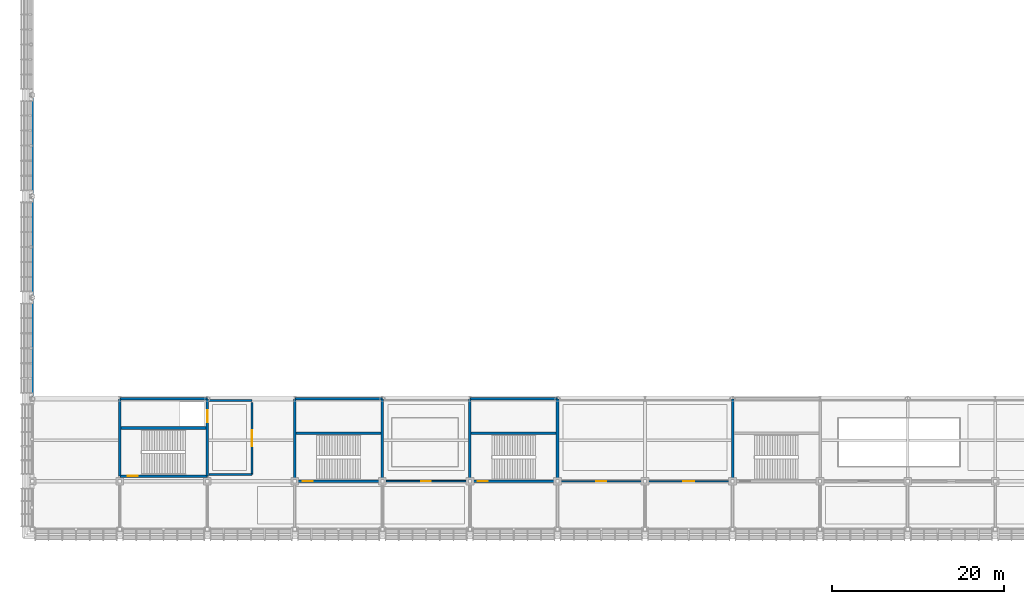
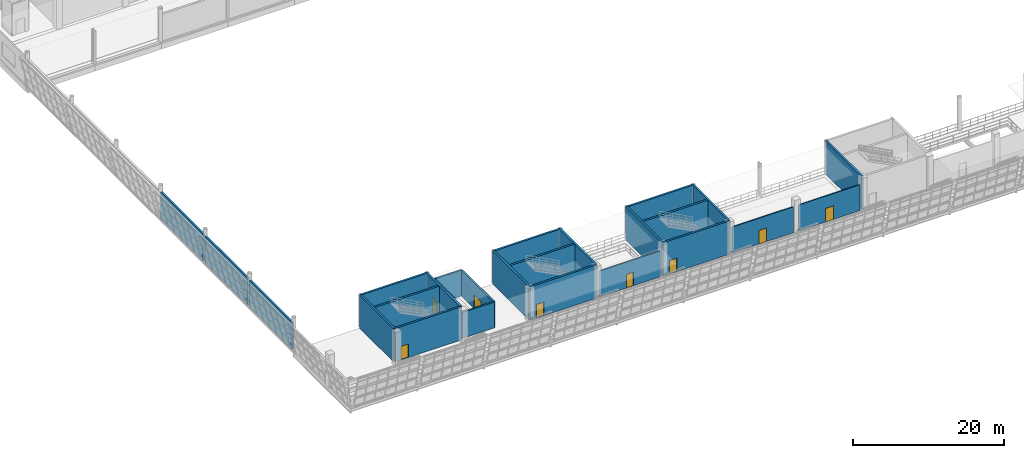
# One storey, part 128 of 175: 25 walls, 8 doors, 8 openings.
"""IFC4 building model written with IfcOpenShell, lengths in metres."""

from ifc_helpers import new_model, si_unit, direction, frame, frame_2d, origin, place, context, subcontext, project, spatial, rectangle, extrude, material, layer, layer_set, type_object, element, fill, save


model = new_model("IFC4")

# Units and contexts
model_context = context("Model", 3, precision=1e-05, world=origin(), true_north=direction((0.0, 1.0)))
body_context = subcontext(model_context, "Body", "Model", "MODEL_VIEW")
ifc_project = project(units=[si_unit("LENGTHUNIT", "METRE"), si_unit("AREAUNIT", "SQUARE_METRE"), si_unit("VOLUMEUNIT", "CUBIC_METRE"), si_unit("PLANEANGLEUNIT", "RADIAN"), si_unit("MASSUNIT", "GRAM", prefix="KILO")], contexts=[model_context])

# Site, building, storey
site_placement = place(None, origin())
site = spatial("IfcSite", under=ifc_project, at=site_placement, CompositionType="ELEMENT")
building_placement = place(site_placement, origin())
building = spatial("IfcBuilding", under=site, at=building_placement, Name="Brelvane Convention Centre", CompositionType="ELEMENT")
storey_placement = place(building_placement, frame((0.0, 0.0, 5.39990234375)))
storey = spatial("IfcBuildingStorey", under=building, at=storey_placement, Name="L01", CompositionType="ELEMENT", Elevation=5.39990234375)

# Walls
ifc_material_1 = material(Name="Concrete M40", Category="concrete")
ifc_layer_1 = layer(ifc_material_1, 0.2900390625)
ifc_layer_set_1 = layer_set([ifc_layer_1], Name="Concrete M40")
wall_type_1 = type_object("IfcWallType", Name="Exterior Wall EW-08", PredefinedType="SOLIDWALL", material=ifc_layer_set_1)
wall_1_placement = place(storey_placement, frame((0.0, 29.0400390625, 0.0), z_axis=(0.0, 0.0, 1.0), x_axis=(0.0, 1.0, 0.0)))
element("IfcWall", 1, at=wall_1_placement, inside=storey, type_object=wall_type_1, Name="Exterior Wall L01 V1W-L01-1", PredefinedType="SOLIDWALL", context=body_context, shape_type="SweptSolid", body=[
    extrude(rectangle(XDim=11.320068359375, YDim=0.2900390625, at=frame_2d((5.66015625, 0.0))), origin(), (0.0, 0.0, 1.0), 4.320068359375),
])
wall_2_placement = place(storey_placement, frame((0.0, 40.840087890625, 0.0), z_axis=(0.0, 0.0, 1.0), x_axis=(0.0, 1.0, 0.0)))
element("IfcWall", 2, at=wall_2_placement, inside=storey, type_object=wall_type_1, Name="Exterior Wall L01 V1W-L01-2", PredefinedType="SOLIDWALL", context=body_context, shape_type="SweptSolid", body=[
    extrude(rectangle(XDim=11.31982421875, YDim=0.2900390625, at=frame_2d((5.659912109375, 0.0))), origin(), (0.0, 0.0, 1.0), 4.320068359375),
])
wall_3_placement = place(storey_placement, frame((0.0, 52.639892578125, 0.0), z_axis=(0.0, 0.0, 1.0), x_axis=(0.0, 1.0, 0.0)))
element("IfcWall", 3, at=wall_3_placement, inside=storey, type_object=wall_type_1, Name="Exterior Wall L01 V1W-L01-3", PredefinedType="SOLIDWALL", context=body_context, shape_type="SweptSolid", body=[
    extrude(rectangle(XDim=11.320068359375, YDim=0.2900390625, at=frame_2d((5.66015625, 0.0))), origin(), (0.0, 0.0, 1.0), 4.320068359375),
])

# Wall, opening, door
ifc_material_2 = material(Name="Fire-Rated Acoustic Gypsum Partition Board Grade A")
ifc_layer_2 = layer(ifc_material_2, 0.14501953125)
ifc_layer_set_2 = layer_set([ifc_layer_2], Name="Fire-Rated Acoustic Gypsum Partition Board Grade A")
wall_type_2 = type_object("IfcWallType", Name="Interior Wall IW-AC-145", PredefinedType="PARTITIONING", material=ifc_layer_set_2)
wall_4_placement = place(storey_placement, frame((71.800048828125, 19.199951171875, 0.0), z_axis=(0.0, 0.0, 1.0), x_axis=(1.0, 0.0, 0.0)))
wall_4 = element("IfcWall", 4, at=wall_4_placement, inside=storey, type_object=wall_type_2, Name="Interior Partition L01-HULLC2", PredefinedType="PARTITIONING", context=body_context, shape_type="SweptSolid", body=[
    extrude(rectangle(XDim=9.39990234375, YDim=0.14501953125, at=frame_2d((4.699951171875, 0.0))), origin(), (0.0, 0.0, 1.0), 4.2001953125),
])
opening_1_placement = place(wall_4_placement, frame((4.080078125, 0.0, 0.0)))
opening_1 = element("IfcOpeningElement", 5, at=opening_1_placement, cuts=wall_4, Name="Opening DR-IN-04R", PredefinedType="OPENING", context=body_context, shape_type="SweptSolid", body=[
    extrude(rectangle(XDim=1.239990234375, YDim=2.199951171875, at=frame_2d((0.6201171875, 1.10009765625))), frame((0.0, 0.08251953125, 0.0), z_axis=(0.0, -1.0, 0.0), x_axis=(1.0, 0.0, 0.0)), (0.0, 0.0, 1.0), 0.1650390625),
])
ifc_material_3 = material(Name="Galvanised Hollow-Metal Fire Door Steel E250", Category="steel")
door_type_1 = type_object("IfcDoorType", Name="Interior Door DR-IN-04R", OperationType="NOTDEFINED", PredefinedType="DOOR", material=ifc_material_3)
door_1_placement = place(opening_1_placement, origin())
door_1 = element("IfcDoor", 6, at=door_1_placement, inside=storey, type_object=door_type_1, Name="Interior Door L01-HULLC2 (DR-IN-04R)", OperationType="SINGLE_SWING_RIGHT", OverallHeight=2.199951171875, OverallWidth=1.239990234375, PredefinedType="DOOR", context=body_context, shape_type="SweptSolid", body=[
    extrude(rectangle(XDim=1.239990234375, YDim=2.199951171875, at=frame_2d((0.6201171875, 1.10009765625))), frame((0.0, 0.02490234375, 0.0), z_axis=(0.0, -1.0, 0.0), x_axis=(1.0, 0.0, 0.0)), (0.0, 0.0, 1.0), 0.050048828125),
])
fill(opening_1, door_1)

ifc_material_4 = material(Name="Fire-Rated Acoustic Gypsum Partition Board Grade A")
ifc_layer_3 = layer(ifc_material_4, 0.155029296875)
ifc_layer_set_3 = layer_set([ifc_layer_3], Name="Fire-Rated Acoustic Gypsum Partition Board Grade A")
wall_type_3 = type_object("IfcWallType", Name="Interior Wall IW-AC-155", PredefinedType="PARTITIONING", material=ifc_layer_set_3)
wall_5_placement = place(storey_placement, frame((61.60009765625, 19.199951171875, 0.0), z_axis=(0.0, 0.0, 1.0), x_axis=(1.0, 0.0, 0.0)))
wall_5 = element("IfcWall", 7, at=wall_5_placement, inside=storey, type_object=wall_type_3, Name="Interior Partition L01-HULLC1", PredefinedType="PARTITIONING", context=body_context, shape_type="SweptSolid", body=[
    extrude(rectangle(XDim=9.39990234375, YDim=0.155029296875, at=frame_2d((4.699951171875, 0.0))), origin(), (0.0, 0.0, 1.0), 4.2001953125),
])
opening_2_placement = place(wall_5_placement, frame((4.1201171875, 0.0, 0.0)))
opening_2 = element("IfcOpeningElement", 8, at=opening_2_placement, cuts=wall_5, Name="Opening DR-IN-04L", PredefinedType="OPENING", context=body_context, shape_type="SweptSolid", body=[
    extrude(rectangle(XDim=1.159912109375, YDim=2.199951171875, at=frame_2d((0.580078125, 1.10009765625))), frame((0.0, 0.08740234375, 0.0), z_axis=(0.0, -1.0, 0.0), x_axis=(1.0, 0.0, 0.0)), (0.0, 0.0, 1.0), 0.175048828125),
])
ifc_material_5 = material(Name="Galvanised Hollow-Metal Fire Door Steel E250", Category="steel")
door_type_2 = type_object("IfcDoorType", Name="Interior Door DR-IN-04L", OperationType="NOTDEFINED", PredefinedType="DOOR", material=ifc_material_5)
door_2_placement = place(opening_2_placement, origin())
door_2 = element("IfcDoor", 9, at=door_2_placement, inside=storey, type_object=door_type_2, Name="Interior Door L01-HULLC1 (DR-IN-04L)", OperationType="SINGLE_SWING_LEFT", OverallHeight=2.199951171875, OverallWidth=1.159912109375, PredefinedType="DOOR", context=body_context, shape_type="SweptSolid", body=[
    extrude(rectangle(XDim=1.159912109375, YDim=2.199951171875, at=frame_2d((0.580078125, 1.10009765625))), frame((0.0, 0.02490234375, 0.0), z_axis=(0.0, -1.0, 0.0), x_axis=(1.0, 0.0, 0.0)), (0.0, 0.0, 1.0), 0.050048828125),
])
fill(opening_2, door_2)

ifc_material_6 = material(Name="Fire-Rated Acoustic Gypsum Partition Board Grade A")
ifc_layer_4 = layer(ifc_material_6, 0.175048828125)
ifc_layer_set_4 = layer_set([ifc_layer_4], Name="Fire-Rated Acoustic Gypsum Partition Board Grade A")
wall_type_4 = type_object("IfcWallType", Name="Interior Wall IW-AC-175", PredefinedType="PARTITIONING", material=ifc_layer_set_4)
wall_6_placement = place(storey_placement, frame((41.199951171875, 19.199951171875, 0.0), z_axis=(0.0, 0.0, 1.0), x_axis=(1.0, 0.0, 0.0)))
wall_6 = element("IfcWall", 10, at=wall_6_placement, inside=storey, type_object=wall_type_4, Name="Interior Partition L01-ORG1", PredefinedType="PARTITIONING", context=body_context, shape_type="SweptSolid", body=[
    extrude(rectangle(XDim=9.400146484375, YDim=0.175048828125, at=frame_2d((4.7001953125, 0.0))), origin(), (0.0, 0.0, 1.0), 4.2001953125),
])
opening_3_placement = place(wall_6_placement, frame((4.14990234375, 0.0, 0.0)))
opening_3 = element("IfcOpeningElement", 11, at=opening_3_placement, cuts=wall_6, Name="Opening DR-IN-02L", PredefinedType="OPENING", context=body_context, shape_type="SweptSolid", body=[
    extrude(rectangle(XDim=1.10009765625, YDim=2.199951171875, at=frame_2d((0.550048828125, 1.10009765625))), frame((0.0, 0.097412109375, 0.0), z_axis=(0.0, -1.0, 0.0), x_axis=(1.0, 0.0, 0.0)), (0.0, 0.0, 1.0), 0.195068359375),
])
ifc_material_7 = material(Name="Solid-Core Fire-Rated Hardwood Leaf Grade 1", Category="wood")
door_type_3 = type_object("IfcDoorType", Name="Interior Door DR-IN-02L", OperationType="NOTDEFINED", PredefinedType="DOOR", material=ifc_material_7)
door_3_placement = place(opening_3_placement, origin())
door_3 = element("IfcDoor", 12, at=door_3_placement, inside=storey, type_object=door_type_3, Name="Interior Door L01-ORG1 (DR-IN-02L)", OperationType="SINGLE_SWING_LEFT", OverallHeight=2.199951171875, OverallWidth=1.10009765625, PredefinedType="DOOR", context=body_context, shape_type="SweptSolid", body=[
    extrude(rectangle(XDim=1.10009765625, YDim=2.199951171875, at=frame_2d((0.550048828125, 1.10009765625))), frame((0.0, 0.02490234375, 0.0), z_axis=(0.0, -1.0, 0.0), x_axis=(1.0, 0.0, 0.0)), (0.0, 0.0, 1.0), 0.050048828125),
])
fill(opening_3, door_3)

ifc_material_8 = material(Name="Concrete M40", Category="concrete")
ifc_layer_5 = layer(ifc_material_8, 0.239990234375)
ifc_layer_set_5 = layer_set([ifc_layer_5], Name="Concrete M40")
wall_type_5 = type_object("IfcWallType", Name="Interior Wall IW-FR-240", PredefinedType="PARTITIONING", material=ifc_layer_set_5)
wall_7_placement = place(storey_placement, frame((25.60009765625, 20.0, 0.0), z_axis=(0.0, 0.0, 1.0), x_axis=(0.0, 1.0, 0.0)))
wall_7 = element("IfcWall", 13, at=wall_7_placement, inside=storey, type_object=wall_type_5, Name="Firefighting Lobby C1 Wall E (L01)", PredefinedType="PARTITIONING", context=body_context, shape_type="SweptSolid", body=[
    extrude(rectangle(XDim=8.39990234375, YDim=0.239990234375, at=frame_2d((4.199951171875, 0.0))), origin(), (0.0, 0.0, 1.0), 4.2001953125),
])
opening_4_placement = place(wall_7_placement, frame((3.25, 0.0, 0.0)))
opening_4 = element("IfcOpeningElement", 14, at=opening_4_placement, cuts=wall_7, Name="Opening DR-FL-01", PredefinedType="OPENING", context=body_context, shape_type="SweptSolid", body=[
    extrude(rectangle(XDim=1.89990234375, YDim=2.25, at=frame_2d((0.949951171875, 1.125))), frame((0.0, 0.1298828125, 0.0), z_axis=(0.0, -1.0, 0.0), x_axis=(1.0, 0.0, 0.0)), (0.0, 0.0, 1.0), 0.260009765625),
])
ifc_material_9 = material(Name="Galvanised Hollow-Metal Fire Door Steel E250", Category="steel")
door_type_4 = type_object("IfcDoorType", Name="Interior Door DR-FL-01", OperationType="NOTDEFINED", PredefinedType="DOOR", material=ifc_material_9)
door_4_placement = place(opening_4_placement, origin())
door_4 = element("IfcDoor", 15, at=door_4_placement, inside=storey, type_object=door_type_4, Name="Firefighting Lobby C1 Smoke Door (L01)", OperationType="DOUBLE_DOOR_SINGLE_SWING", OverallHeight=2.25, OverallWidth=1.89990234375, PredefinedType="DOOR", context=body_context, shape_type="SweptSolid", body=[
    extrude(rectangle(XDim=1.89990234375, YDim=2.25, at=frame_2d((0.949951171875, 1.125))), frame((0.0, 0.02490234375, 0.0), z_axis=(0.0, -1.0, 0.0), x_axis=(1.0, 0.0, 0.0)), (0.0, 0.0, 1.0), 0.050048828125),
])
fill(opening_4, door_4)

# Walls
for number, where, z_axis, x_axis, name in (
    (16, (20.60009765625, 28.60009765625, 0.0), (0.0, 0.0, 1.0), (1.0, 0.0, 0.0), "Firefighting Lobby C1 Wall N (L01)"),
    (17, (20.60009765625, 20.0, 0.0), (0.0, 0.0, 1.0), (1.0, 0.0, 0.0), "Firefighting Lobby C1 Wall S (L01)"),
):
    element("IfcWall", number, at=place(storey_placement, frame(where, z_axis=z_axis, x_axis=x_axis)), inside=storey, type_object=wall_type_5, Name=name, PredefinedType="PARTITIONING", context=body_context, shape_type="SweptSolid", body=[
        extrude(rectangle(XDim=5.0, YDim=0.239990234375, at=frame_2d((2.5, 0.0))), origin(), (0.0, 0.0, 1.0), 4.2001953125),
    ])

# Wall, opening, door
ifc_material_10 = material(Name="Concrete M50", Category="concrete")
ifc_layer_6 = layer(ifc_material_10, 0.300048828125)
ifc_layer_set_6 = layer_set([ifc_layer_6], Name="Concrete M50")
wall_type_6 = type_object("IfcWallType", Name="Structural Wall WL-CORE-300", PredefinedType="SHEAR", material=ifc_layer_set_6)
wall_8_placement = place(storey_placement, frame((10.199951171875, 19.800048828125, 0.0), z_axis=(0.0, 0.0, 1.0), x_axis=(1.0, 0.0, 0.0)))
wall_8 = element("IfcWall", 18, at=wall_8_placement, inside=storey, type_object=wall_type_6, Name="Core C1 Shear Wall S (L01)", PredefinedType="SHEAR", context=body_context, shape_type="SweptSolid", body=[
    extrude(rectangle(XDim=10.199951171875, YDim=0.300048828125, at=frame_2d((5.10009765625, 0.0))), origin(), (0.0, 0.0, 1.0), 5.400146484375),
])
opening_5_placement = place(wall_8_placement, frame((0.919921875, 0.0, 0.0)))
opening_5 = element("IfcOpeningElement", 19, at=opening_5_placement, cuts=wall_8, Name="Opening DR-IN-04L", PredefinedType="OPENING", context=body_context, shape_type="SweptSolid", body=[
    extrude(rectangle(XDim=1.159912109375, YDim=2.199951171875, at=frame_2d((0.580078125, 1.10009765625))), frame((0.0, 0.159912109375, 0.0), z_axis=(0.0, -1.0, 0.0), x_axis=(1.0, 0.0, 0.0)), (0.0, 0.0, 1.0), 0.320068359375),
])
door_5_placement = place(opening_5_placement, origin())
door_5 = element("IfcDoor", 20, at=door_5_placement, inside=storey, type_object=door_type_2, Name="Stair ST-01 Exit Door (L01)", OperationType="SINGLE_SWING_LEFT", OverallHeight=2.199951171875, OverallWidth=1.159912109375, PredefinedType="DOOR", context=body_context, shape_type="SweptSolid", body=[
    extrude(rectangle(XDim=1.159912109375, YDim=2.199951171875, at=frame_2d((0.580078125, 1.10009765625))), frame((0.0, 0.02490234375, 0.0), z_axis=(0.0, -1.0, 0.0), x_axis=(1.0, 0.0, 0.0)), (0.0, 0.0, 1.0), 0.050048828125),
])
fill(opening_5, door_5)

# Walls
wall_9_placement = place(storey_placement, frame((10.199951171875, 28.800048828125, 0.0), z_axis=(0.0, 0.0, 1.0), x_axis=(1.0, 0.0, 0.0)))
element("IfcWall", 21, at=wall_9_placement, inside=storey, type_object=wall_type_6, Name="Core C1 Shear Wall N (L01)", PredefinedType="SHEAR", context=body_context, shape_type="SweptSolid", body=[
    extrude(rectangle(XDim=10.199951171875, YDim=0.300048828125, at=frame_2d((5.10009765625, 0.0))), origin(), (0.0, 0.0, 1.0), 5.400146484375),
])
wall_10_placement = place(storey_placement, frame((10.199951171875, 19.800048828125, 0.0), z_axis=(0.0, 0.0, 1.0), x_axis=(0.0, 1.0, 0.0)))
element("IfcWall", 22, at=wall_10_placement, inside=storey, type_object=wall_type_6, Name="Core C1 Shear Wall W (L01)", PredefinedType="SHEAR", context=body_context, shape_type="SweptSolid", body=[
    extrude(rectangle(XDim=9.0, YDim=0.300048828125, at=frame_2d((4.5, 0.0))), origin(), (0.0, 0.0, 1.0), 5.400146484375),
])

# Wall, opening, door
wall_11_placement = place(storey_placement, frame((20.39990234375, 19.800048828125, 0.0), z_axis=(0.0, 0.0, 1.0), x_axis=(0.0, 1.0, 0.0)))
wall_11 = element("IfcWall", 23, at=wall_11_placement, inside=storey, type_object=wall_type_6, Name="Core C1 Shear Wall E (L01)", PredefinedType="SHEAR", context=body_context, shape_type="SweptSolid", body=[
    extrude(rectangle(XDim=9.0, YDim=0.300048828125, at=frame_2d((4.5, 0.0))), origin(), (0.0, 0.0, 1.0), 5.400146484375),
])
opening_6_placement = place(wall_11_placement, frame((6.300048828125, 0.0, 0.0)))
opening_6 = element("IfcOpeningElement", 24, at=opening_6_placement, cuts=wall_11, Name="Opening LD-03", PredefinedType="OPENING", context=body_context, shape_type="SweptSolid", body=[
    extrude(rectangle(XDim=1.35009765625, YDim=2.300048828125, at=frame_2d((0.675048828125, 1.14990234375))), frame((0.0, 0.159912109375, 0.0), z_axis=(0.0, -1.0, 0.0), x_axis=(1.0, 0.0, 0.0)), (0.0, 0.0, 1.0), 0.320068359375),
])
ifc_material_11 = material(Name="Galvanised Hollow-Metal Fire Door Steel E250", Category="steel")
door_type_5 = type_object("IfcDoorType", Name="Interior Door LD-03", OperationType="NOTDEFINED", PredefinedType="DOOR", material=ifc_material_11)
door_6_placement = place(opening_6_placement, origin())
door_6 = element("IfcDoor", 25, at=door_6_placement, inside=storey, type_object=door_type_5, Name="Lift LF-01 Landing Door (L01)", OperationType="DOUBLE_DOOR_SLIDING", OverallHeight=2.300048828125, OverallWidth=1.35009765625, PredefinedType="DOOR", context=body_context, shape_type="SweptSolid", body=[
    extrude(rectangle(XDim=1.35009765625, YDim=2.300048828125, at=frame_2d((0.675048828125, 1.14990234375))), frame((0.0, 0.02490234375, 0.0), z_axis=(0.0, -1.0, 0.0), x_axis=(1.0, 0.0, 0.0)), (0.0, 0.0, 1.0), 0.050048828125),
])
fill(opening_6, door_6)

# Wall
wall_12_placement = place(storey_placement, frame((10.35009765625, 25.39990234375, 0.0), z_axis=(0.0, 0.0, 1.0), x_axis=(1.0, 0.0, 0.0)))
element("IfcWall", 26, at=wall_12_placement, inside=storey, type_object=wall_type_6, Name="Core C1 Shaft Divider Wall (L01)", PredefinedType="SHEAR", context=body_context, shape_type="SweptSolid", body=[
    extrude(rectangle(XDim=9.89990234375, YDim=0.300048828125, at=frame_2d((4.949951171875, 0.0))), origin(), (0.0, 0.0, 1.0), 5.400146484375),
])

# Wall, opening, door
wall_13_placement = place(storey_placement, frame((51.0, 19.199951171875, 0.0), z_axis=(0.0, 0.0, 1.0), x_axis=(1.0, 0.0, 0.0)))
wall_13 = element("IfcWall", 27, at=wall_13_placement, inside=storey, type_object=wall_type_6, Name="Stair Core ST-09 Wall S (L01)", PredefinedType="SHEAR", context=body_context, shape_type="SweptSolid", body=[
    extrude(rectangle(XDim=10.199951171875, YDim=0.300048828125, at=frame_2d((5.10009765625, 0.0))), origin(), (0.0, 0.0, 1.0), 5.400146484375),
])
opening_7_placement = place(wall_13_placement, frame((0.919921875, 0.0, 0.0)))
opening_7 = element("IfcOpeningElement", 28, at=opening_7_placement, cuts=wall_13, Name="Opening DR-IN-04L", PredefinedType="OPENING", context=body_context, shape_type="SweptSolid", body=[
    extrude(rectangle(XDim=1.159912109375, YDim=2.199951171875, at=frame_2d((0.580078125, 1.10009765625))), frame((0.0, 0.159912109375, 0.0), z_axis=(0.0, -1.0, 0.0), x_axis=(1.0, 0.0, 0.0)), (0.0, 0.0, 1.0), 0.320068359375),
])
door_7_placement = place(opening_7_placement, origin())
door_7 = element("IfcDoor", 29, at=door_7_placement, inside=storey, type_object=door_type_2, Name="Stair ST-09 Entry Door (L01)", OperationType="SINGLE_SWING_LEFT", OverallHeight=2.199951171875, OverallWidth=1.159912109375, PredefinedType="DOOR", context=body_context, shape_type="SweptSolid", body=[
    extrude(rectangle(XDim=1.159912109375, YDim=2.199951171875, at=frame_2d((0.580078125, 1.10009765625))), frame((0.0, 0.02490234375, 0.0), z_axis=(0.0, -1.0, 0.0), x_axis=(1.0, 0.0, 0.0)), (0.0, 0.0, 1.0), 0.050048828125),
])
fill(opening_7, door_7)

# Walls
wall_14_placement = place(storey_placement, frame((51.0, 28.800048828125, 0.0), z_axis=(0.0, 0.0, 1.0), x_axis=(1.0, 0.0, 0.0)))
element("IfcWall", 30, at=wall_14_placement, inside=storey, type_object=wall_type_6, Name="Stair Core ST-09 Wall N (L01)", PredefinedType="SHEAR", context=body_context, shape_type="SweptSolid", body=[
    extrude(rectangle(XDim=10.199951171875, YDim=0.300048828125, at=frame_2d((5.10009765625, 0.0))), origin(), (0.0, 0.0, 1.0), 5.400146484375),
])
for number, where, z_axis, x_axis, name in (
    (31, (51.0, 19.199951171875, 0.0), (0.0, 0.0, 1.0), (0.0, 1.0, 0.0), "Stair Core ST-09 Wall W (L01)"),
    (32, (61.199951171875, 19.199951171875, 0.0), (0.0, 0.0, 1.0), (0.0, 1.0, 0.0), "Stair Core ST-09 Wall E (L01)"),
):
    element("IfcWall", number, at=place(storey_placement, frame(where, z_axis=z_axis, x_axis=x_axis)), inside=storey, type_object=wall_type_6, Name=name, PredefinedType="SHEAR", context=body_context, shape_type="SweptSolid", body=[
        extrude(rectangle(XDim=9.60009765625, YDim=0.300048828125, at=frame_2d((4.800048828125, 0.0))), origin(), (0.0, 0.0, 1.0), 5.400146484375),
    ])
wall_15_placement = place(storey_placement, frame((51.14990234375, 24.800048828125, 0.0), z_axis=(0.0, 0.0, 1.0), x_axis=(1.0, 0.0, 0.0)))
element("IfcWall", 33, at=wall_15_placement, inside=storey, type_object=wall_type_6, Name="Stair Core ST-09 Well Wall (L01)", PredefinedType="SHEAR", context=body_context, shape_type="SweptSolid", body=[
    extrude(rectangle(XDim=9.900146484375, YDim=0.300048828125, at=frame_2d((4.9501953125, 0.0))), origin(), (0.0, 0.0, 1.0), 5.400146484375),
])
wall_16_placement = place(storey_placement, frame((81.60009765625, 19.199951171875, 0.0), z_axis=(0.0, 0.0, 1.0), x_axis=(0.0, 1.0, 0.0)))
element("IfcWall", 34, at=wall_16_placement, inside=storey, type_object=wall_type_6, Name="Stair Core ST-10 Wall W (L01)", PredefinedType="SHEAR", context=body_context, shape_type="SweptSolid", body=[
    extrude(rectangle(XDim=9.60009765625, YDim=0.300048828125, at=frame_2d((4.800048828125, 0.0))), origin(), (0.0, 0.0, 1.0), 5.400146484375),
])

# Wall, opening, door
wall_17_placement = place(storey_placement, frame((30.60009765625, 19.199951171875, 0.0), z_axis=(0.0, 0.0, 1.0), x_axis=(1.0, 0.0, 0.0)))
wall_17 = element("IfcWall", 35, at=wall_17_placement, inside=storey, type_object=wall_type_6, Name="Stair Core ST-19 Wall S (L01)", PredefinedType="SHEAR", context=body_context, shape_type="SweptSolid", body=[
    extrude(rectangle(XDim=10.199951171875, YDim=0.300048828125, at=frame_2d((5.10009765625, 0.0))), origin(), (0.0, 0.0, 1.0), 5.400146484375),
])
opening_8_placement = place(wall_17_placement, frame((0.919921875, 0.0, 0.0)))
opening_8 = element("IfcOpeningElement", 36, at=opening_8_placement, cuts=wall_17, Name="Opening DR-IN-04L", PredefinedType="OPENING", context=body_context, shape_type="SweptSolid", body=[
    extrude(rectangle(XDim=1.159912109375, YDim=2.199951171875, at=frame_2d((0.580078125, 1.10009765625))), frame((0.0, 0.159912109375, 0.0), z_axis=(0.0, -1.0, 0.0), x_axis=(1.0, 0.0, 0.0)), (0.0, 0.0, 1.0), 0.320068359375),
])
door_8_placement = place(opening_8_placement, origin())
door_8 = element("IfcDoor", 37, at=door_8_placement, inside=storey, type_object=door_type_2, Name="Stair ST-19 Entry Door (L01)", OperationType="SINGLE_SWING_LEFT", OverallHeight=2.199951171875, OverallWidth=1.159912109375, PredefinedType="DOOR", context=body_context, shape_type="SweptSolid", body=[
    extrude(rectangle(XDim=1.159912109375, YDim=2.199951171875, at=frame_2d((0.580078125, 1.10009765625))), frame((0.0, 0.02490234375, 0.0), z_axis=(0.0, -1.0, 0.0), x_axis=(1.0, 0.0, 0.0)), (0.0, 0.0, 1.0), 0.050048828125),
])
fill(opening_8, door_8)

# Walls
wall_18_placement = place(storey_placement, frame((30.60009765625, 28.800048828125, 0.0), z_axis=(0.0, 0.0, 1.0), x_axis=(1.0, 0.0, 0.0)))
element("IfcWall", 38, at=wall_18_placement, inside=storey, type_object=wall_type_6, Name="Stair Core ST-19 Wall N (L01)", PredefinedType="SHEAR", context=body_context, shape_type="SweptSolid", body=[
    extrude(rectangle(XDim=10.199951171875, YDim=0.300048828125, at=frame_2d((5.10009765625, 0.0))), origin(), (0.0, 0.0, 1.0), 5.400146484375),
])
for number, where, z_axis, x_axis, name in (
    (39, (30.60009765625, 19.199951171875, 0.0), (0.0, 0.0, 1.0), (0.0, 1.0, 0.0), "Stair Core ST-19 Wall W (L01)"),
    (40, (40.800048828125, 19.199951171875, 0.0), (0.0, 0.0, 1.0), (0.0, 1.0, 0.0), "Stair Core ST-19 Wall E (L01)"),
):
    element("IfcWall", number, at=place(storey_placement, frame(where, z_axis=z_axis, x_axis=x_axis)), inside=storey, type_object=wall_type_6, Name=name, PredefinedType="SHEAR", context=body_context, shape_type="SweptSolid", body=[
        extrude(rectangle(XDim=9.60009765625, YDim=0.300048828125, at=frame_2d((4.800048828125, 0.0))), origin(), (0.0, 0.0, 1.0), 5.400146484375),
    ])
wall_19_placement = place(storey_placement, frame((30.75, 24.800048828125, 0.0), z_axis=(0.0, 0.0, 1.0), x_axis=(1.0, 0.0, 0.0)))
element("IfcWall", 41, at=wall_19_placement, inside=storey, type_object=wall_type_6, Name="Stair Core ST-19 Well Wall (L01)", PredefinedType="SHEAR", context=body_context, shape_type="SweptSolid", body=[
    extrude(rectangle(XDim=9.89990234375, YDim=0.300048828125, at=frame_2d((4.949951171875, 0.0))), origin(), (0.0, 0.0, 1.0), 5.400146484375),
])

save(model, "model.ifc")
